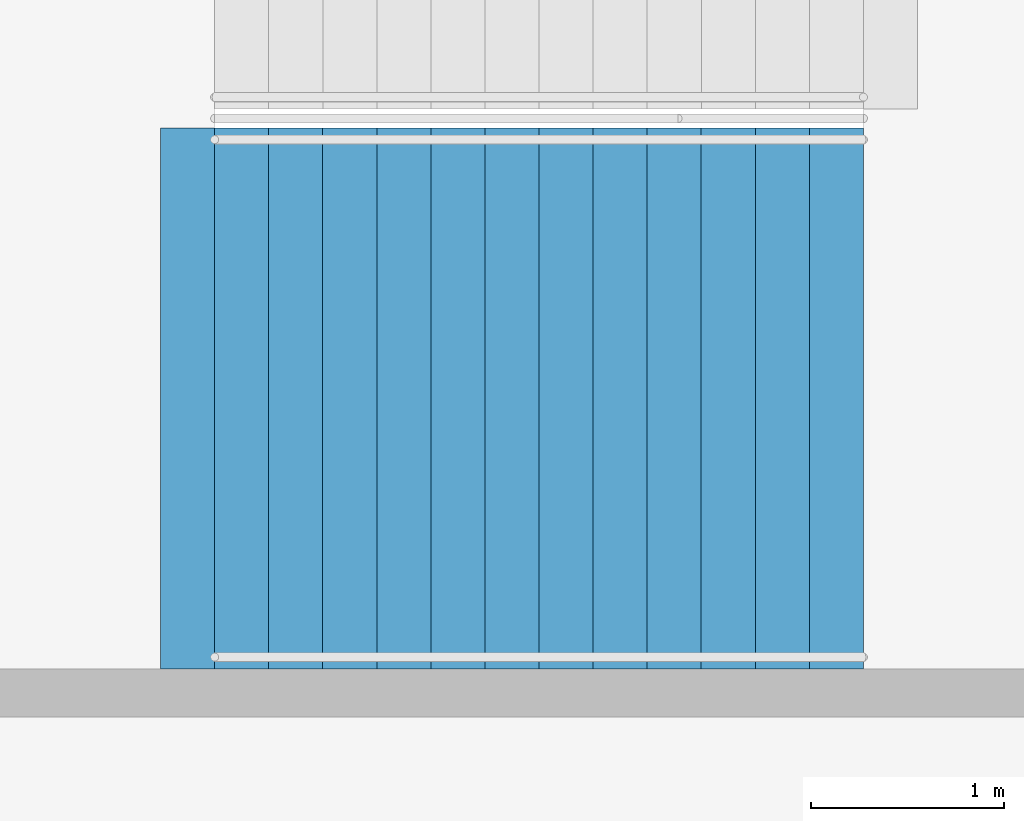
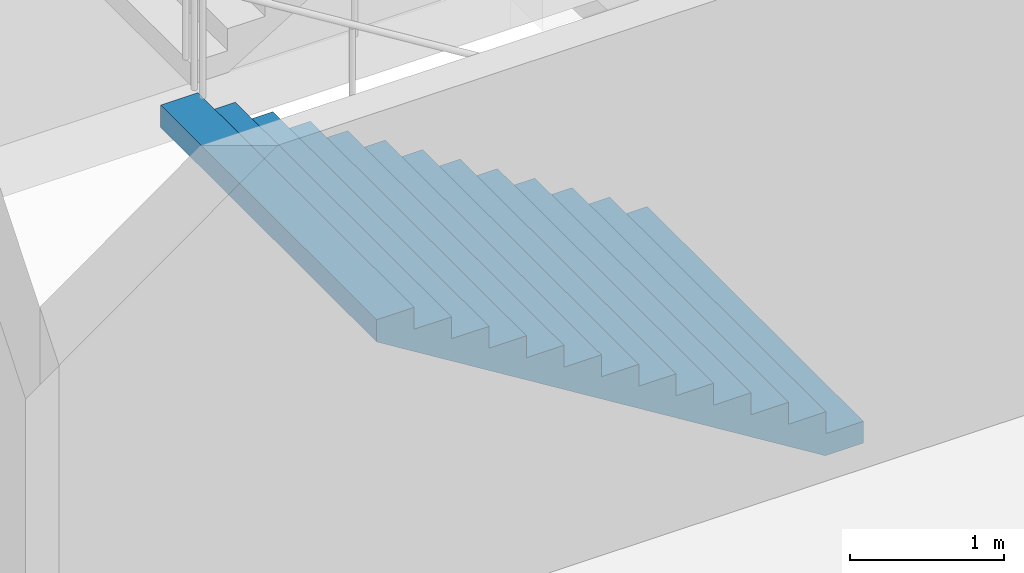
# One storey, part 160 of 249: 1 stair flight, 1 element without a shape of its own.
"""IFC4 building model written with IfcOpenShell, lengths in metres."""

from ifc_helpers import new_model, si_unit, direction, frame, origin, place, context, subcontext, project, spatial, faceted_brep, material, type_object, element, aggregate, save


model = new_model("IFC4")

# Units and contexts
model_context = context("Model", 3, precision=1e-05, world=origin(), true_north=direction((0.0, 1.0)))
body_context = subcontext(model_context, "Body", "Model", "MODEL_VIEW")
ifc_project = project(units=[si_unit("LENGTHUNIT", "METRE"), si_unit("AREAUNIT", "SQUARE_METRE"), si_unit("VOLUMEUNIT", "CUBIC_METRE"), si_unit("PLANEANGLEUNIT", "RADIAN"), si_unit("MASSUNIT", "GRAM", prefix="KILO")], contexts=[model_context])

# Site, building, storey
site_placement = place(None, origin())
site = spatial("IfcSite", under=ifc_project, at=site_placement, CompositionType="ELEMENT")
building_placement = place(site_placement, origin())
building = spatial("IfcBuilding", under=site, at=building_placement, Name="Ogive Plaza Stadium", CompositionType="ELEMENT")
storey_placement = place(building_placement, frame((0.0, 0.0, 13.5)))
storey = spatial("IfcBuildingStorey", under=building, at=storey_placement, Name="L03", CompositionType="ELEMENT", Elevation=13.5)

# Stair, stair flight
ifc_material_1 = material(Name="Concrete C40/50", Category="concrete")
stair_type = type_object("IfcStairType", Name="Exit stair", PredefinedType="STRAIGHT_RUN_STAIR", material=ifc_material_1)
stair_placement = place(storey_placement, origin())
stair = element("IfcStair", 1, at=stair_placement, inside=storey, type_object=stair_type, Name="Exit stair ST24B L03 to L04", PredefinedType="STRAIGHT_RUN_STAIR")
ifc_material_2 = material(Name="Concrete C40/50", Category="concrete")
stair_flight_type = type_object("IfcStairFlightType", Name="Exit stair flight", PredefinedType="STRAIGHT", material=ifc_material_2)
stair_flight_placement = place(storey_placement, frame((-76.35009765625, -11.925048828125, 0.0), z_axis=(0.0, 0.0, 1.0), x_axis=(-1.0, 0.0, 0.0)))
stair_flight = element("IfcStairFlight", 2, at=stair_flight_placement, type_object=stair_flight_type, Name="ST24B flight 1", NumberOfRisers=13, NumberOfTreads=12, PredefinedType="STRAIGHT", RiserHeight=0.173076923, TreadLength=0.28, context=body_context, shape_type="Brep", body=[
    faceted_brep([(0.28515625, -1.39990234375, 0.0), (3.639892578125, -1.39990234375, 2.07373046875), (3.639892578125, -1.39990234375, 2.25), (3.360107421875, -1.39990234375, 2.25), (3.360107421875, -1.39990234375, 2.076904296875), (3.080078125, -1.39990234375, 2.076904296875), (3.080078125, -1.39990234375, 1.90380859375), (2.800048828125, -1.39990234375, 1.90380859375), (2.800048828125, -1.39990234375, 1.730712890625), (2.52001953125, -1.39990234375, 1.730712890625), (2.52001953125, -1.39990234375, 1.5576171875), (2.239990234375, -1.39990234375, 1.5576171875), (2.239990234375, -1.39990234375, 1.384521484375), (1.9599609375, -1.39990234375, 1.384521484375), (1.9599609375, -1.39990234375, 1.21142578125), (1.679931640625, -1.39990234375, 1.21142578125), (1.679931640625, -1.39990234375, 1.03857421875), (1.39990234375, -1.39990234375, 1.03857421875), (1.39990234375, -1.39990234375, 0.865478515625), (1.1201171875, -1.39990234375, 0.865478515625), (1.1201171875, -1.39990234375, 0.6923828125), (0.840087890625, -1.39990234375, 0.6923828125), (0.840087890625, -1.39990234375, 0.519287109375), (0.56005859375, -1.39990234375, 0.519287109375), (0.56005859375, -1.39990234375, 0.34619140625), (0.280029296875, -1.39990234375, 0.34619140625), (0.280029296875, -1.39990234375, 0.173095703125), (0.0, -1.39990234375, 0.173095703125), (0.0, -1.39990234375, 0.0), (0.0, 1.39990234375, 0.0), (0.0, 1.39990234375, 0.173095703125), (0.280029296875, 1.39990234375, 0.173095703125), (0.280029296875, 1.39990234375, 0.34619140625), (0.56005859375, 1.39990234375, 0.34619140625), (0.56005859375, 1.39990234375, 0.519287109375), (0.840087890625, 1.39990234375, 0.519287109375), (0.840087890625, 1.39990234375, 0.6923828125), (1.1201171875, 1.39990234375, 0.6923828125), (1.1201171875, 1.39990234375, 0.865478515625), (1.39990234375, 1.39990234375, 0.865478515625), (1.39990234375, 1.39990234375, 1.03857421875), (1.679931640625, 1.39990234375, 1.03857421875), (1.679931640625, 1.39990234375, 1.21142578125), (1.9599609375, 1.39990234375, 1.21142578125), (1.9599609375, 1.39990234375, 1.384521484375), (2.239990234375, 1.39990234375, 1.384521484375), (2.239990234375, 1.39990234375, 1.5576171875), (2.52001953125, 1.39990234375, 1.5576171875), (2.52001953125, 1.39990234375, 1.730712890625), (2.800048828125, 1.39990234375, 1.730712890625), (2.800048828125, 1.39990234375, 1.90380859375), (3.080078125, 1.39990234375, 1.90380859375), (3.080078125, 1.39990234375, 2.076904296875), (3.360107421875, 1.39990234375, 2.076904296875), (3.360107421875, 1.39990234375, 2.25), (3.639892578125, 1.39990234375, 2.25), (3.639892578125, 1.39990234375, 2.07373046875), (0.28515625, 1.39990234375, 0.0), (0.28515625, -1.0888671875, 0.0), (3.639892578125, -1.0888671875, 2.07373046875), (0.28515625, -0.77783203125, 0.0), (3.639892578125, -0.77783203125, 2.07373046875), (0.28515625, -0.466796875, 0.0), (3.639892578125, -0.466796875, 2.07373046875), (0.28515625, -0.155517578125, 0.0), (3.639892578125, -0.155517578125, 2.07373046875), (0.28515625, 0.155517578125, 0.0), (3.639892578125, 0.155517578125, 2.07373046875), (0.28515625, 0.466796875, 0.0), (3.639892578125, 0.466796875, 2.07373046875), (0.28515625, 0.77783203125, 0.0), (3.639892578125, 0.77783203125, 2.07373046875), (0.28515625, 1.0888671875, 0.0), (3.639892578125, 1.0888671875, 2.07373046875), (3.639892578125, -1.0888671875, 2.25), (3.639892578125, -0.77783203125, 2.25), (3.639892578125, -0.466796875, 2.25), (3.639892578125, -0.155517578125, 2.25), (3.639892578125, 0.155517578125, 2.25), (3.639892578125, 0.466796875, 2.25), (3.639892578125, 0.77783203125, 2.25), (3.639892578125, 1.0888671875, 2.25), (3.360107421875, -1.0888671875, 2.25), (3.360107421875, -0.77783203125, 2.25), (3.360107421875, -0.466796875, 2.25), (3.360107421875, -0.155517578125, 2.25), (3.360107421875, 0.155517578125, 2.25), (3.360107421875, 0.466796875, 2.25), (3.360107421875, 0.77783203125, 2.25), (3.360107421875, 1.0888671875, 2.25), (3.360107421875, -1.0888671875, 2.076904296875), (3.360107421875, -0.77783203125, 2.076904296875), (3.360107421875, -0.466796875, 2.076904296875), (3.360107421875, -0.155517578125, 2.076904296875), (3.360107421875, 0.155517578125, 2.076904296875), (3.360107421875, 0.466796875, 2.076904296875), (3.360107421875, 0.77783203125, 2.076904296875), (3.360107421875, 1.0888671875, 2.076904296875), (3.080078125, -1.0888671875, 2.076904296875), (3.080078125, -0.77783203125, 2.076904296875), (3.080078125, -0.466796875, 2.076904296875), (3.080078125, -0.155517578125, 2.076904296875), (3.080078125, 0.155517578125, 2.076904296875), (3.080078125, 0.466796875, 2.076904296875), (3.080078125, 0.77783203125, 2.076904296875), (3.080078125, 1.0888671875, 2.076904296875), (3.080078125, -1.0888671875, 1.90380859375), (3.080078125, -0.77783203125, 1.90380859375), (3.080078125, -0.466796875, 1.90380859375), (3.080078125, -0.155517578125, 1.90380859375), (3.080078125, 0.155517578125, 1.90380859375), (3.080078125, 0.466796875, 1.90380859375), (3.080078125, 0.77783203125, 1.90380859375), (3.080078125, 1.0888671875, 1.90380859375), (2.800048828125, -1.0888671875, 1.90380859375), (2.800048828125, -0.77783203125, 1.90380859375), (2.800048828125, -0.466796875, 1.90380859375), (2.800048828125, -0.155517578125, 1.90380859375), (2.800048828125, 0.155517578125, 1.90380859375), (2.800048828125, 0.466796875, 1.90380859375), (2.800048828125, 0.77783203125, 1.90380859375), (2.800048828125, 1.0888671875, 1.90380859375), (2.800048828125, -1.0888671875, 1.730712890625), (2.800048828125, -0.77783203125, 1.730712890625), (2.800048828125, -0.466796875, 1.730712890625), (2.800048828125, -0.155517578125, 1.730712890625), (2.800048828125, 0.155517578125, 1.730712890625), (2.800048828125, 0.466796875, 1.730712890625), (2.800048828125, 0.77783203125, 1.730712890625), (2.800048828125, 1.0888671875, 1.730712890625), (2.52001953125, -1.0888671875, 1.730712890625), (2.52001953125, -0.77783203125, 1.730712890625), (2.52001953125, -0.466796875, 1.730712890625), (2.52001953125, -0.155517578125, 1.730712890625), (2.52001953125, 0.155517578125, 1.730712890625), (2.52001953125, 0.466796875, 1.730712890625), (2.52001953125, 0.77783203125, 1.730712890625), (2.52001953125, 1.0888671875, 1.730712890625), (2.52001953125, -1.0888671875, 1.5576171875), (2.52001953125, -0.77783203125, 1.5576171875), (2.52001953125, -0.466796875, 1.5576171875), (2.52001953125, -0.155517578125, 1.5576171875), (2.52001953125, 0.155517578125, 1.5576171875), (2.52001953125, 0.466796875, 1.5576171875), (2.52001953125, 0.77783203125, 1.5576171875), (2.52001953125, 1.0888671875, 1.5576171875), (2.239990234375, -1.0888671875, 1.5576171875), (2.239990234375, -0.77783203125, 1.5576171875), (2.239990234375, -0.466796875, 1.5576171875), (2.239990234375, -0.155517578125, 1.5576171875), (2.239990234375, 0.155517578125, 1.5576171875), (2.239990234375, 0.466796875, 1.5576171875), (2.239990234375, 0.77783203125, 1.5576171875), (2.239990234375, 1.0888671875, 1.5576171875), (2.239990234375, -1.0888671875, 1.384521484375), (2.239990234375, -0.77783203125, 1.384521484375), (2.239990234375, -0.466796875, 1.384521484375), (2.239990234375, -0.155517578125, 1.384521484375), (2.239990234375, 0.155517578125, 1.384521484375), (2.239990234375, 0.466796875, 1.384521484375), (2.239990234375, 0.77783203125, 1.384521484375), (2.239990234375, 1.0888671875, 1.384521484375), (1.9599609375, -1.0888671875, 1.384521484375), (1.9599609375, -0.77783203125, 1.384521484375), (1.9599609375, -0.466796875, 1.384521484375), (1.9599609375, -0.155517578125, 1.384521484375), (1.9599609375, 0.155517578125, 1.384521484375), (1.9599609375, 0.466796875, 1.384521484375), (1.9599609375, 0.77783203125, 1.384521484375), (1.9599609375, 1.0888671875, 1.384521484375), (1.9599609375, -1.0888671875, 1.21142578125), (1.9599609375, -0.77783203125, 1.21142578125), (1.9599609375, -0.466796875, 1.21142578125), (1.9599609375, -0.155517578125, 1.21142578125), (1.9599609375, 0.155517578125, 1.21142578125), (1.9599609375, 0.466796875, 1.21142578125), (1.9599609375, 0.77783203125, 1.21142578125), (1.9599609375, 1.0888671875, 1.21142578125), (1.679931640625, -1.0888671875, 1.21142578125), (1.679931640625, -0.77783203125, 1.21142578125), (1.679931640625, -0.466796875, 1.21142578125), (1.679931640625, -0.155517578125, 1.21142578125), (1.679931640625, 0.155517578125, 1.21142578125), (1.679931640625, 0.466796875, 1.21142578125), (1.679931640625, 0.77783203125, 1.21142578125), (1.679931640625, 1.0888671875, 1.21142578125), (1.679931640625, -1.0888671875, 1.03857421875), (1.679931640625, -0.77783203125, 1.03857421875), (1.679931640625, -0.466796875, 1.03857421875), (1.679931640625, -0.155517578125, 1.03857421875), (1.679931640625, 0.155517578125, 1.03857421875), (1.679931640625, 0.466796875, 1.03857421875), (1.679931640625, 0.77783203125, 1.03857421875), (1.679931640625, 1.0888671875, 1.03857421875), (1.39990234375, -1.0888671875, 1.03857421875), (1.39990234375, -0.77783203125, 1.03857421875), (1.39990234375, -0.466796875, 1.03857421875), (1.39990234375, -0.155517578125, 1.03857421875), (1.39990234375, 0.155517578125, 1.03857421875), (1.39990234375, 0.466796875, 1.03857421875), (1.39990234375, 0.77783203125, 1.03857421875), (1.39990234375, 1.0888671875, 1.03857421875), (1.39990234375, -1.0888671875, 0.865478515625), (1.39990234375, -0.77783203125, 0.865478515625), (1.39990234375, -0.466796875, 0.865478515625), (1.39990234375, -0.155517578125, 0.865478515625), (1.39990234375, 0.155517578125, 0.865478515625), (1.39990234375, 0.466796875, 0.865478515625), (1.39990234375, 0.77783203125, 0.865478515625), (1.39990234375, 1.0888671875, 0.865478515625), (1.1201171875, -1.0888671875, 0.865478515625), (1.1201171875, -0.77783203125, 0.865478515625), (1.1201171875, -0.466796875, 0.865478515625), (1.1201171875, -0.155517578125, 0.865478515625), (1.1201171875, 0.155517578125, 0.865478515625), (1.1201171875, 0.466796875, 0.865478515625), (1.1201171875, 0.77783203125, 0.865478515625), (1.1201171875, 1.0888671875, 0.865478515625), (1.1201171875, -1.0888671875, 0.6923828125), (1.1201171875, -0.77783203125, 0.6923828125), (1.1201171875, -0.466796875, 0.6923828125), (1.1201171875, -0.155517578125, 0.6923828125), (1.1201171875, 0.155517578125, 0.6923828125), (1.1201171875, 0.466796875, 0.6923828125), (1.1201171875, 0.77783203125, 0.6923828125), (1.1201171875, 1.0888671875, 0.6923828125), (0.840087890625, -1.0888671875, 0.6923828125), (0.840087890625, -0.77783203125, 0.6923828125), (0.840087890625, -0.466796875, 0.6923828125), (0.840087890625, -0.155517578125, 0.6923828125), (0.840087890625, 0.155517578125, 0.6923828125), (0.840087890625, 0.466796875, 0.6923828125), (0.840087890625, 0.77783203125, 0.6923828125), (0.840087890625, 1.0888671875, 0.6923828125), (0.840087890625, -1.0888671875, 0.519287109375), (0.840087890625, -0.77783203125, 0.519287109375), (0.840087890625, -0.466796875, 0.519287109375), (0.840087890625, -0.155517578125, 0.519287109375), (0.840087890625, 0.155517578125, 0.519287109375), (0.840087890625, 0.466796875, 0.519287109375), (0.840087890625, 0.77783203125, 0.519287109375), (0.840087890625, 1.0888671875, 0.519287109375), (0.56005859375, -1.0888671875, 0.519287109375), (0.56005859375, -0.77783203125, 0.519287109375), (0.56005859375, -0.466796875, 0.519287109375), (0.56005859375, -0.155517578125, 0.519287109375), (0.56005859375, 0.155517578125, 0.519287109375), (0.56005859375, 0.466796875, 0.519287109375), (0.56005859375, 0.77783203125, 0.519287109375), (0.56005859375, 1.0888671875, 0.519287109375), (0.56005859375, -1.0888671875, 0.34619140625), (0.56005859375, -0.77783203125, 0.34619140625), (0.56005859375, -0.466796875, 0.34619140625), (0.56005859375, -0.155517578125, 0.34619140625), (0.56005859375, 0.155517578125, 0.34619140625), (0.56005859375, 0.466796875, 0.34619140625), (0.56005859375, 0.77783203125, 0.34619140625), (0.56005859375, 1.0888671875, 0.34619140625), (0.280029296875, -1.0888671875, 0.34619140625), (0.280029296875, -0.77783203125, 0.34619140625), (0.280029296875, -0.466796875, 0.34619140625), (0.280029296875, -0.155517578125, 0.34619140625), (0.280029296875, 0.155517578125, 0.34619140625), (0.280029296875, 0.466796875, 0.34619140625), (0.280029296875, 0.77783203125, 0.34619140625), (0.280029296875, 1.0888671875, 0.34619140625), (0.280029296875, -1.0888671875, 0.173095703125), (0.280029296875, -0.77783203125, 0.173095703125), (0.280029296875, -0.466796875, 0.173095703125), (0.280029296875, -0.155517578125, 0.173095703125), (0.280029296875, 0.155517578125, 0.173095703125), (0.280029296875, 0.466796875, 0.173095703125), (0.280029296875, 0.77783203125, 0.173095703125), (0.280029296875, 1.0888671875, 0.173095703125), (0.0, -1.0888671875, 0.173095703125), (0.0, -0.77783203125, 0.173095703125), (0.0, -0.466796875, 0.173095703125), (0.0, -0.155517578125, 0.173095703125), (0.0, 0.155517578125, 0.173095703125), (0.0, 0.466796875, 0.173095703125), (0.0, 0.77783203125, 0.173095703125), (0.0, 1.0888671875, 0.173095703125), (0.0, -1.0888671875, 0.0), (0.0, -0.77783203125, 0.0), (0.0, -0.466796875, 0.0), (0.0, -0.155517578125, 0.0), (0.0, 0.155517578125, 0.0), (0.0, 0.466796875, 0.0), (0.0, 0.77783203125, 0.0), (0.0, 1.0888671875, 0.0)], [[[0, 1, 2, 3, 4, 5, 6, 7, 8, 9, 10, 11, 12, 13, 14, 15, 16, 17, 18, 19, 20, 21, 22, 23, 24, 25, 26, 27, 28]], [[29, 30, 31, 32, 33, 34, 35, 36, 37, 38, 39, 40, 41, 42, 43, 44, 45, 46, 47, 48, 49, 50, 51, 52, 53, 54, 55, 56, 57]], [[0, 58, 59, 1]], [[58, 60, 61, 59]], [[60, 62, 63, 61]], [[62, 64, 65, 63]], [[64, 66, 67, 65]], [[66, 68, 69, 67]], [[68, 70, 71, 69]], [[70, 72, 73, 71]], [[72, 57, 56, 73]], [[1, 59, 74, 2]], [[59, 61, 75, 74]], [[61, 63, 76, 75]], [[63, 65, 77, 76]], [[65, 67, 78, 77]], [[67, 69, 79, 78]], [[69, 71, 80, 79]], [[71, 73, 81, 80]], [[73, 56, 55, 81]], [[2, 74, 82, 3]], [[74, 75, 83, 82]], [[75, 76, 84, 83]], [[76, 77, 85, 84]], [[77, 78, 86, 85]], [[78, 79, 87, 86]], [[79, 80, 88, 87]], [[80, 81, 89, 88]], [[81, 55, 54, 89]], [[3, 82, 90, 4]], [[82, 83, 91, 90]], [[83, 84, 92, 91]], [[84, 85, 93, 92]], [[85, 86, 94, 93]], [[86, 87, 95, 94]], [[87, 88, 96, 95]], [[88, 89, 97, 96]], [[89, 54, 53, 97]], [[4, 90, 98, 5]], [[90, 91, 99, 98]], [[91, 92, 100, 99]], [[92, 93, 101, 100]], [[93, 94, 102, 101]], [[94, 95, 103, 102]], [[95, 96, 104, 103]], [[96, 97, 105, 104]], [[97, 53, 52, 105]], [[5, 98, 106, 6]], [[98, 99, 107, 106]], [[99, 100, 108, 107]], [[100, 101, 109, 108]], [[101, 102, 110, 109]], [[102, 103, 111, 110]], [[103, 104, 112, 111]], [[104, 105, 113, 112]], [[105, 52, 51, 113]], [[6, 106, 114, 7]], [[106, 107, 115, 114]], [[107, 108, 116, 115]], [[108, 109, 117, 116]], [[109, 110, 118, 117]], [[110, 111, 119, 118]], [[111, 112, 120, 119]], [[112, 113, 121, 120]], [[113, 51, 50, 121]], [[7, 114, 122, 8]], [[114, 115, 123, 122]], [[115, 116, 124, 123]], [[116, 117, 125, 124]], [[117, 118, 126, 125]], [[118, 119, 127, 126]], [[119, 120, 128, 127]], [[120, 121, 129, 128]], [[121, 50, 49, 129]], [[8, 122, 130, 9]], [[122, 123, 131, 130]], [[123, 124, 132, 131]], [[124, 125, 133, 132]], [[125, 126, 134, 133]], [[126, 127, 135, 134]], [[127, 128, 136, 135]], [[128, 129, 137, 136]], [[129, 49, 48, 137]], [[9, 130, 138, 10]], [[130, 131, 139, 138]], [[131, 132, 140, 139]], [[132, 133, 141, 140]], [[133, 134, 142, 141]], [[134, 135, 143, 142]], [[135, 136, 144, 143]], [[136, 137, 145, 144]], [[137, 48, 47, 145]], [[10, 138, 146, 11]], [[138, 139, 147, 146]], [[139, 140, 148, 147]], [[140, 141, 149, 148]], [[141, 142, 150, 149]], [[142, 143, 151, 150]], [[143, 144, 152, 151]], [[144, 145, 153, 152]], [[145, 47, 46, 153]], [[11, 146, 154, 12]], [[146, 147, 155, 154]], [[147, 148, 156, 155]], [[148, 149, 157, 156]], [[149, 150, 158, 157]], [[150, 151, 159, 158]], [[151, 152, 160, 159]], [[152, 153, 161, 160]], [[153, 46, 45, 161]], [[12, 154, 162, 13]], [[154, 155, 163, 162]], [[155, 156, 164, 163]], [[156, 157, 165, 164]], [[157, 158, 166, 165]], [[158, 159, 167, 166]], [[159, 160, 168, 167]], [[160, 161, 169, 168]], [[161, 45, 44, 169]], [[13, 162, 170, 14]], [[162, 163, 171, 170]], [[163, 164, 172, 171]], [[164, 165, 173, 172]], [[165, 166, 174, 173]], [[166, 167, 175, 174]], [[167, 168, 176, 175]], [[168, 169, 177, 176]], [[169, 44, 43, 177]], [[14, 170, 178, 15]], [[170, 171, 179, 178]], [[171, 172, 180, 179]], [[172, 173, 181, 180]], [[173, 174, 182, 181]], [[174, 175, 183, 182]], [[175, 176, 184, 183]], [[176, 177, 185, 184]], [[177, 43, 42, 185]], [[15, 178, 186, 16]], [[178, 179, 187, 186]], [[179, 180, 188, 187]], [[180, 181, 189, 188]], [[181, 182, 190, 189]], [[182, 183, 191, 190]], [[183, 184, 192, 191]], [[184, 185, 193, 192]], [[185, 42, 41, 193]], [[16, 186, 194, 17]], [[186, 187, 195, 194]], [[187, 188, 196, 195]], [[188, 189, 197, 196]], [[189, 190, 198, 197]], [[190, 191, 199, 198]], [[191, 192, 200, 199]], [[192, 193, 201, 200]], [[193, 41, 40, 201]], [[17, 194, 202, 18]], [[194, 195, 203, 202]], [[195, 196, 204, 203]], [[196, 197, 205, 204]], [[197, 198, 206, 205]], [[198, 199, 207, 206]], [[199, 200, 208, 207]], [[200, 201, 209, 208]], [[201, 40, 39, 209]], [[18, 202, 210, 19]], [[202, 203, 211, 210]], [[203, 204, 212, 211]], [[204, 205, 213, 212]], [[205, 206, 214, 213]], [[206, 207, 215, 214]], [[207, 208, 216, 215]], [[208, 209, 217, 216]], [[209, 39, 38, 217]], [[19, 210, 218, 20]], [[210, 211, 219, 218]], [[211, 212, 220, 219]], [[212, 213, 221, 220]], [[213, 214, 222, 221]], [[214, 215, 223, 222]], [[215, 216, 224, 223]], [[216, 217, 225, 224]], [[217, 38, 37, 225]], [[20, 218, 226, 21]], [[218, 219, 227, 226]], [[219, 220, 228, 227]], [[220, 221, 229, 228]], [[221, 222, 230, 229]], [[222, 223, 231, 230]], [[223, 224, 232, 231]], [[224, 225, 233, 232]], [[225, 37, 36, 233]], [[21, 226, 234, 22]], [[226, 227, 235, 234]], [[227, 228, 236, 235]], [[228, 229, 237, 236]], [[229, 230, 238, 237]], [[230, 231, 239, 238]], [[231, 232, 240, 239]], [[232, 233, 241, 240]], [[233, 36, 35, 241]], [[22, 234, 242, 23]], [[234, 235, 243, 242]], [[235, 236, 244, 243]], [[236, 237, 245, 244]], [[237, 238, 246, 245]], [[238, 239, 247, 246]], [[239, 240, 248, 247]], [[240, 241, 249, 248]], [[241, 35, 34, 249]], [[23, 242, 250, 24]], [[242, 243, 251, 250]], [[243, 244, 252, 251]], [[244, 245, 253, 252]], [[245, 246, 254, 253]], [[246, 247, 255, 254]], [[247, 248, 256, 255]], [[248, 249, 257, 256]], [[249, 34, 33, 257]], [[24, 250, 258, 25]], [[250, 251, 259, 258]], [[251, 252, 260, 259]], [[252, 253, 261, 260]], [[253, 254, 262, 261]], [[254, 255, 263, 262]], [[255, 256, 264, 263]], [[256, 257, 265, 264]], [[257, 33, 32, 265]], [[25, 258, 266, 26]], [[258, 259, 267, 266]], [[259, 260, 268, 267]], [[260, 261, 269, 268]], [[261, 262, 270, 269]], [[262, 263, 271, 270]], [[263, 264, 272, 271]], [[264, 265, 273, 272]], [[265, 32, 31, 273]], [[26, 266, 274, 27]], [[266, 267, 275, 274]], [[267, 268, 276, 275]], [[268, 269, 277, 276]], [[269, 270, 278, 277]], [[270, 271, 279, 278]], [[271, 272, 280, 279]], [[272, 273, 281, 280]], [[273, 31, 30, 281]], [[27, 274, 282, 28]], [[274, 275, 283, 282]], [[275, 276, 284, 283]], [[276, 277, 285, 284]], [[277, 278, 286, 285]], [[278, 279, 287, 286]], [[279, 280, 288, 287]], [[280, 281, 289, 288]], [[281, 30, 29, 289]], [[28, 282, 58, 0]], [[282, 283, 60, 58]], [[283, 284, 62, 60]], [[284, 285, 64, 62]], [[285, 286, 66, 64]], [[286, 287, 68, 66]], [[287, 288, 70, 68]], [[288, 289, 72, 70]], [[289, 29, 57, 72]]]),
])
aggregate(stair, [stair_flight])

save(model, "model.ifc")
